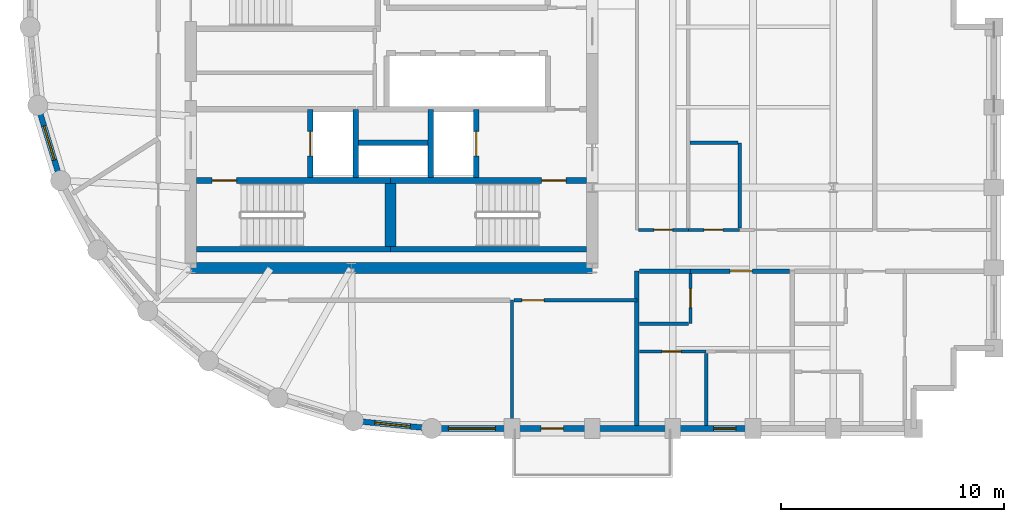
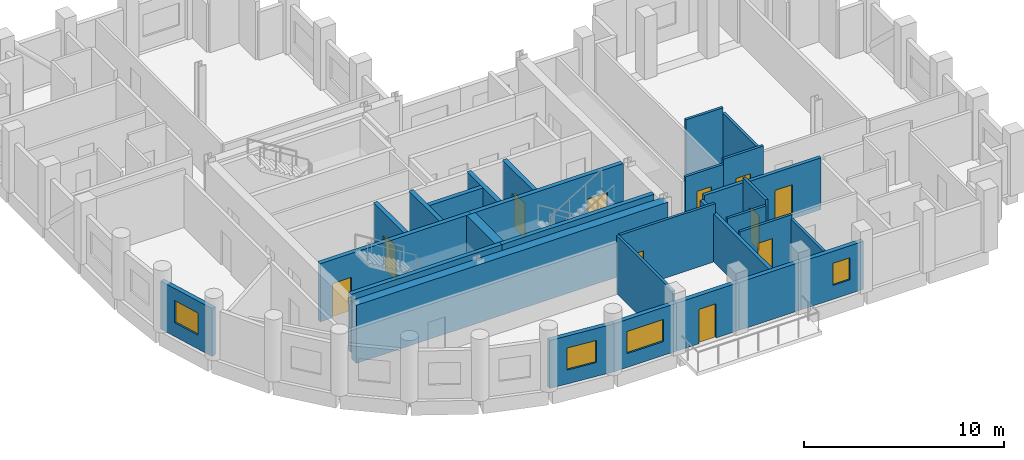
# One storey, part 3 of 8: 30 walls, 11 doors, 4 windows, 15 openings.
"""IFC4 building model written with IfcOpenShell, lengths in metres."""

import ifcopenshell
import ifcopenshell.guid

model = None  # the IFC model being written
_history = None  # IfcOwnerHistory: only IFC2X3 demands one
_inside = {}  # id of a spatial element -> (the spatial element, [elements in it])
_under = {}  # id of a project, library or spatial element -> (it, [spatial elements below it])
_declared = {}  # id of a project -> (the project, [libraries it declares])
_typed = {}  # id of a type object -> (the type object, [elements of that type])
_made_of = {}  # id of a material, layer set ... -> (it, [elements and type objects made of it])


def new_model(schema):
    """Start an empty IFC model of exactly this schema.

    Asked for "IFC4X3", IfcOpenShell would pick the latest addendum, in which some entities
    have other attributes; the version numbers below select the first issue.
    IFC2X3 requires an IfcOwnerHistory on every rooted entity: one is made here for all.
    """
    global model, _history
    if schema == "IFC4X3":
        model = ifcopenshell.file(schema_version=(4, 3, 0, 0))
    else:
        model = ifcopenshell.file(schema=schema)
    _inside.clear()
    _under.clear()
    _declared.clear()
    _typed.clear()
    _made_of.clear()
    _history = None
    if model.schema == "IFC2X3":
        org = make("IfcOrganization", Name="unknown")
        user = make(
            "IfcPersonAndOrganization",
            ThePerson=make("IfcPerson", FamilyName="unknown"),
            TheOrganization=org,
        )
        app = make(
            "IfcApplication",
            ApplicationDeveloper=org,
            Version="unknown",
            ApplicationFullName="unknown",
            ApplicationIdentifier="unknown",
        )
        _history = make(
            "IfcOwnerHistory",
            OwningUser=user,
            OwningApplication=app,
            ChangeAction="ADDED",
            CreationDate=0,
        )
    return model


def make(cls, **values):
    """One entity of the class cls with the attributes given. An attribute that is None is left unset."""
    return model.create_entity(
        cls, **{name: value for name, value in values.items() if value is not None}
    )


def rooted(cls, **values):
    """An entity with a GlobalId (a new one), such as an element, a storey or a relation."""
    return make(cls, GlobalId=ifcopenshell.guid.new(), OwnerHistory=_history, **values)


def si_unit(unit_type, name, prefix=None):
    """IfcSIUnit, for example si_unit("LENGTHUNIT", "METRE", prefix="MILLI")."""
    return make("IfcSIUnit", UnitType=unit_type, Prefix=prefix, Name=name)


def assignment(units):
    """IfcUnitAssignment: the units of a project."""
    return None if units is None else make("IfcUnitAssignment", Units=units)


def point(xyz):
    """IfcCartesianPoint."""
    return None if xyz is None else make("IfcCartesianPoint", Coordinates=xyz)


def direction(xyz):
    """IfcDirection."""
    return None if xyz is None else make("IfcDirection", DirectionRatios=xyz)


def frame(location, z_axis=None, x_axis=None):
    """IfcAxis2Placement3D, a coordinate frame: its origin and axes. An axis left out is left unset."""
    return make(
        "IfcAxis2Placement3D",
        Location=point(location),
        Axis=direction(z_axis),
        RefDirection=direction(x_axis),
    )


def frame_2d(location, x_axis=None):
    """IfcAxis2Placement2D, a coordinate frame in the plane: its origin and x axis."""
    return make(
        "IfcAxis2Placement2D", Location=point(location), RefDirection=direction(x_axis)
    )


def origin():
    """The frame at (0, 0, 0) with its axes left unset."""
    return frame((0.0, 0.0, 0.0))


def place(relative_to, where):
    """IfcLocalPlacement: puts the frame where relative to a parent placement (None: the world)."""
    return make(
        "IfcLocalPlacement", PlacementRelTo=relative_to, RelativePlacement=where
    )


def context(
    kind, dimensions, precision=None, world=None, true_north=None, identifier=None
):
    """IfcGeometricRepresentationContext, for example the 3D "Model" context."""
    return make(
        "IfcGeometricRepresentationContext",
        ContextIdentifier=identifier,
        ContextType=kind,
        CoordinateSpaceDimension=dimensions,
        Precision=precision,
        WorldCoordinateSystem=world,
        TrueNorth=true_north,
    )


def subcontext(parent, identifier, kind, view, scale=None):
    """IfcGeometricRepresentationSubContext, for example "Body" below "Model"."""
    return make(
        "IfcGeometricRepresentationSubContext",
        ContextIdentifier=identifier,
        ContextType=kind,
        ParentContext=parent,
        TargetScale=scale,
        TargetView=view,
    )


def project(units=None, contexts=None):
    """IfcProject with its units and contexts."""
    return rooted(
        "IfcProject",
        Name="project",
        RepresentationContexts=contexts,
        UnitsInContext=assignment(units),
    )


def spatial(cls, under=None, at=None, **own):
    """A site, building, storey or space (cls), placed at a placement, below another one or the project."""
    s = rooted(cls, ObjectPlacement=at, **own)
    if under is not None:
        _under.setdefault(under.id(), (under, []))[1].append(s)
    return s


def profile(cls, at=None, kind="AREA", **sizes):
    """A parametric profile (cls). Its sizes go by their IFC names, for example OverallWidth=200.0."""
    return make(cls, ProfileType=kind, Position=at, **sizes)


def rectangle(**sizes):
    """IfcRectangleProfileDef."""
    return profile("IfcRectangleProfileDef", **sizes)


def extrude(swept, where, along, depth):
    """IfcExtrudedAreaSolid: the profile swept, set in the frame where, extruded along a direction by depth."""
    return make(
        "IfcExtrudedAreaSolid",
        SweptArea=swept,
        Position=where,
        ExtrudedDirection=direction(along),
        Depth=depth,
    )


def shape(context_of_items, identifier, shape_type, items):
    """IfcShapeRepresentation: the items that make up one representation, for example the "Body"."""
    return make(
        "IfcShapeRepresentation",
        ContextOfItems=context_of_items,
        RepresentationIdentifier=identifier,
        RepresentationType=shape_type,
        Items=items,
    )


def material(Name=None, Category=None):
    """IfcMaterial."""
    return make("IfcMaterial", Name=Name, Category=Category)


def layer(
    of_material, thickness, ventilated=None, Name=None, Category=None, Priority=None
):
    """IfcMaterialLayer: one layer of a wall or slab, of a material (None: an air gap)."""
    return make(
        "IfcMaterialLayer",
        Material=of_material,
        LayerThickness=thickness,
        IsVentilated=ventilated,
        Name=Name,
        Category=Category,
        Priority=Priority,
    )


def layer_set(layers, Name=None):
    """IfcMaterialLayerSet."""
    return make("IfcMaterialLayerSet", MaterialLayers=layers, LayerSetName=Name)


def made_of(thing, what):
    """Note that an element or type object is made of a material, layer set ...; save() writes the relation."""
    if what is not None:
        _made_of.setdefault(what.id(), (what, []))[1].append(thing)
    return thing


def type_object(cls, material=None, **own):
    """A type object (cls), such as IfcWallType, which elements share."""
    return made_of(rooted(cls, **own), material)


def element(
    cls,
    number,
    at=None,
    inside=None,
    cuts=None,
    type_object=None,
    material=None,
    context=None,
    identifier="Body",
    shape_type=None,
    held_by="IfcProductDefinitionShape",
    body=None,
    shapes=None,
    **own,
):
    """One element of the class cls, such as IfcWall. Its Tag is "e" and its number.

    at: its placement. inside: the storey or other place that contains it. cuts: it is an
    opening in that element (IfcRelVoidsElement). A single representation is given by context,
    identifier, shape_type and body (its items); several are given by shapes. held_by: the class
    of the entity that holds the representations. save() writes the other relations.
    """
    e = rooted(cls, Tag="e%d" % number, ObjectPlacement=at, **own)
    if body is not None:
        shapes = [shape(context, identifier, shape_type, body)]
    if shapes is not None:
        e.Representation = make(held_by, Representations=shapes)
    if inside is not None:
        _inside.setdefault(inside.id(), (inside, []))[1].append(e)
    if cuts is not None:
        rooted(
            "IfcRelVoidsElement", RelatingBuildingElement=cuts, RelatedOpeningElement=e
        )
    if type_object is not None:
        _typed.setdefault(type_object.id(), (type_object, []))[1].append(e)
    return made_of(e, material)


def fill(opening, filler):
    """IfcRelFillsElement: the door or window that sits in an opening."""
    return rooted(
        "IfcRelFillsElement",
        RelatingOpeningElement=opening,
        RelatedBuildingElement=filler,
    )


def aggregate(whole, parts):
    """IfcRelAggregates: a whole, such as a stair, and the parts it consists of."""
    return rooted("IfcRelAggregates", RelatingObject=whole, RelatedObjects=parts)


def save(model, path):
    """Write the relations noted so far, then the file.

    IfcRelAggregates (storeys below a building ...), IfcRelContainedInSpatialStructure (elements
    in a storey), IfcRelDefinesByType, IfcRelAssociatesMaterial and IfcRelDeclares: one each for
    every whole, place, type object, material and project.
    """
    for whole, parts in _under.values():
        aggregate(whole, parts)
    for where, things in _inside.values():
        rooted(
            "IfcRelContainedInSpatialStructure",
            RelatedElements=things,
            RelatingStructure=where,
        )
    for kind, things in _typed.values():
        rooted("IfcRelDefinesByType", RelatedObjects=things, RelatingType=kind)
    for what, things in _made_of.values():
        rooted("IfcRelAssociatesMaterial", RelatedObjects=things, RelatingMaterial=what)
    for by, libraries in _declared.values():
        rooted("IfcRelDeclares", RelatingContext=by, RelatedDefinitions=libraries)
    model.write(path)


model = new_model("IFC4")

# Units and contexts
model_context = context("Model", 3, precision=1e-05, world=origin(), true_north=direction((0.0, 1.0)))
body_context = subcontext(model_context, "Body", "Model", "MODEL_VIEW")
ifc_project = project(units=[si_unit("LENGTHUNIT", "METRE"), si_unit("AREAUNIT", "SQUARE_METRE"), si_unit("VOLUMEUNIT", "CUBIC_METRE"), si_unit("PLANEANGLEUNIT", "RADIAN"), si_unit("MASSUNIT", "GRAM", prefix="KILO")], contexts=[model_context])

# Site, building, storey
site_placement = place(None, origin())
site = spatial("IfcSite", under=ifc_project, at=site_placement, CompositionType="ELEMENT")
building_placement = place(site_placement, origin())
building = spatial("IfcBuilding", under=site, at=building_placement, Name="Solnavia Interchange Tower", CompositionType="ELEMENT")
storey_placement = place(building_placement, frame((0.0, 0.0, 178.60009765625)))
storey = spatial("IfcBuildingStorey", under=building, at=storey_placement, Name="L44", CompositionType="ELEMENT", Elevation=178.60009765625)

# Walls
ifc_material_1 = material(Name="Gypsum Acoustic Twin-Stud & Mineral Wool", Category="gypsum")
ifc_layer_1 = layer(ifc_material_1, 0.199951171875)
ifc_layer_set_1 = layer_set([ifc_layer_1], Name="Gypsum Acoustic Twin-Stud & Mineral Wool")
wall_type_1 = type_object("IfcWallType", Name="Wall-ApartmentParty-200", PredefinedType="PARTITIONING", material=ifc_layer_set_1)
wall_1_placement = place(storey_placement, frame((34.39990234375, 3.72900390625, 0.0), z_axis=(0.0, 0.0, 1.0), x_axis=(0.0, 1.0, 0.0)))
element("IfcWall", 1, at=wall_1_placement, inside=storey, type_object=wall_type_1, Name="PTW-L44-15 Interior partition wall", PredefinedType="PARTITIONING", context=body_context, shape_type="SweptSolid", body=[
    extrude(rectangle(XDim=6.9208984375, YDim=0.199951171875, at=frame_2d((3.46044921875, 0.0))), origin(), (0.0, 0.0, 1.0), 2.929931640625),
])
wall_2_placement = place(storey_placement, frame((34.50390625, 10.64990234375, 0.0), z_axis=(0.0, 0.0, 1.0), x_axis=(1.0, 0.0, 0.0)))
element("IfcWall", 2, at=wall_2_placement, inside=storey, type_object=wall_type_1, Name="PTW-L44-17 Interior partition wall", PredefinedType="PARTITIONING", context=body_context, shape_type="SweptSolid", body=[
    extrude(rectangle(XDim=2.296142578125, YDim=0.199951171875, at=frame_2d((1.14794921875, 0.0))), origin(), (0.0, 0.0, 1.0), 3.219970703125),
])

# Wall, opening, door
wall_3_placement = place(storey_placement, frame((36.800048828125, 10.64990234375, 0.0), z_axis=(0.0, 0.0, 1.0), x_axis=(1.0, 0.0, 0.0)))
wall_3 = element("IfcWall", 3, at=wall_3_placement, inside=storey, type_object=wall_type_1, Name="PTW-L44-20 Interior partition wall", PredefinedType="PARTITIONING", context=body_context, shape_type="SweptSolid", body=[
    extrude(rectangle(XDim=4.446044921875, YDim=0.199951171875, at=frame_2d((2.22314453125, 0.0))), origin(), (0.0, 0.0, 1.0), 3.169921875),
])
opening_1_placement = place(wall_3_placement, frame((1.77490234375, 0.0, 0.0)))
opening_1 = element("IfcOpeningElement", 4, at=opening_1_placement, cuts=wall_3, Name="Opening DR-06", PredefinedType="OPENING", context=body_context, shape_type="SweptSolid", body=[
    extrude(rectangle(XDim=1.0, YDim=2.10009765625, at=frame_2d((0.5, 1.050048828125))), frame((0.0, 0.10986328125, 0.0), z_axis=(0.0, -1.0, 0.0), x_axis=(1.0, 0.0, 0.0)), (0.0, 0.0, 1.0), 0.219970703125),
])
ifc_material_2 = material(Name="Engineered Timber Acoustic Fire Door", Category="wood")
door_type_1 = type_object("IfcDoorType", Name="Door-FlatEntry-1000x2100", OperationType="SINGLE_SWING_LEFT", PredefinedType="DOOR", material=ifc_material_2)
door_1_placement = place(opening_1_placement, origin())
door_1 = element("IfcDoor", 5, at=door_1_placement, inside=storey, type_object=door_type_1, Name="DR-L44-08 Interior room door", OperationType="SINGLE_SWING_LEFT", OverallHeight=2.10009765625, OverallWidth=1.0, PredefinedType="DOOR", context=body_context, shape_type="SweptSolid", body=[
    extrude(rectangle(XDim=1.0, YDim=2.10009765625, at=frame_2d((0.5, 1.050048828125))), frame((0.0, 0.02490234375, 0.0), z_axis=(0.0, -1.0, 0.0), x_axis=(1.0, 0.0, 0.0)), (0.0, 0.0, 1.0), 0.050048828125),
])
fill(opening_1, door_1)

# Wall, opening, window
ifc_material_3 = material(Name="Concrete C40/50", Category="concrete")
ifc_layer_2 = layer(ifc_material_3, 0.25)
ifc_layer_set_2 = layer_set([ifc_layer_2], Name="Concrete C40/50")
wall_type_2 = type_object("IfcWallType", Name="Wall-ExtSpandrel-250", PredefinedType="STANDARD", material=ifc_layer_set_2)
wall_4_placement = place(storey_placement, frame((28.800048828125, 3.60009765625, 0.0), z_axis=(0.0, 0.0, 1.0), x_axis=(-1.0, 0.0, 0.0)))
wall_4 = element("IfcWall", 6, at=wall_4_placement, inside=storey, type_object=wall_type_2, Name="EXW-L44-01 Exterior precast spandrel wall", PredefinedType="STANDARD", context=body_context, shape_type="SweptSolid", body=[
    extrude(rectangle(XDim=3.60009765625, YDim=0.25, at=frame_2d((1.800048828125, 0.0))), origin(), (0.0, 0.0, 1.0), 2.929931640625),
])
opening_2_placement = place(wall_4_placement, frame((0.75, 0.0, 0.85009765625)))
opening_2 = element("IfcOpeningElement", 7, at=opening_2_placement, cuts=wall_4, Name="Opening WIN-01", PredefinedType="OPENING", context=body_context, shape_type="SweptSolid", body=[
    extrude(rectangle(XDim=2.10009765625, YDim=1.35009765625, at=frame_2d((1.050048828125, 0.675048828125))), frame((0.0, 0.135009765625, 0.0), z_axis=(0.0, -1.0, 0.0), x_axis=(1.0, 0.0, 0.0)), (0.0, 0.0, 1.0), 0.27001953125),
])
ifc_material_4 = material(Name="Thermal-Break Aluminium & Low-E Glass", Category="aluminium")
window_type_1 = type_object("IfcWindowType", Name="Window-Ribbon-2100x1350", PartitioningType="SINGLE_PANEL", PredefinedType="WINDOW", material=ifc_material_4)
window_1_placement = place(opening_2_placement, origin())
window_1 = element("IfcWindow", 8, at=window_1_placement, inside=storey, type_object=window_type_1, Name="WIN-L44-01 Facade ribbon window", OverallHeight=1.35009765625, OverallWidth=2.10009765625, PartitioningType="SINGLE_PANEL", PredefinedType="WINDOW", context=body_context, shape_type="SweptSolid", body=[
    extrude(rectangle(XDim=2.10009765625, YDim=1.35009765625, at=frame_2d((1.050048828125, 0.675048828125))), frame((0.0, 0.030029296875, 0.0), z_axis=(0.0, -1.0, 0.0), x_axis=(1.0, 0.0, 0.0)), (0.0, 0.0, 1.0), 0.06005859375),
])
fill(opening_2, window_1)

# Wall, opening, door
wall_5_placement = place(storey_placement, frame((32.39990234375, 3.60009765625, 0.0), z_axis=(0.0, 0.0, 1.0), x_axis=(-1.0, 0.0, 0.0)))
wall_5 = element("IfcWall", 9, at=wall_5_placement, inside=storey, type_object=wall_type_2, Name="EXW-L44-02 Exterior precast spandrel wall", PredefinedType="STANDARD", context=body_context, shape_type="SweptSolid", body=[
    extrude(rectangle(XDim=3.599853515625, YDim=0.25, at=frame_2d((1.7998046875, 0.0))), origin(), (0.0, 0.0, 1.0), 2.929931640625),
])
opening_3_placement = place(wall_5_placement, frame((1.300048828125, 0.0, 0.0)))
opening_3 = element("IfcOpeningElement", 10, at=opening_3_placement, cuts=wall_5, Name="Opening EXD-05", PredefinedType="OPENING", context=body_context, shape_type="SweptSolid", body=[
    extrude(rectangle(XDim=1.0, YDim=2.10009765625, at=frame_2d((0.5, 1.050048828125))), frame((0.0, 0.135009765625, 0.0), z_axis=(0.0, -1.0, 0.0), x_axis=(1.0, 0.0, 0.0)), (0.0, 0.0, 1.0), 0.27001953125),
])
ifc_material_5 = material(Name="Thermally Broken Aluminium & Laminated Glass", Category="aluminium")
door_type_2 = type_object("IfcDoorType", Name="Door-TerraceSingle-1000x2100", OperationType="SINGLE_SWING_LEFT", PredefinedType="DOOR", material=ifc_material_5)
door_2_placement = place(opening_3_placement, origin())
door_2 = element("IfcDoor", 11, at=door_2_placement, inside=storey, type_object=door_type_2, Name="EXD-L44-TER Spiral terrace glazed door", OperationType="SINGLE_SWING_LEFT", OverallHeight=2.10009765625, OverallWidth=1.0, PredefinedType="DOOR", context=body_context, shape_type="SweptSolid", body=[
    extrude(rectangle(XDim=1.0, YDim=2.10009765625, at=frame_2d((0.5, 1.050048828125))), frame((0.0, 0.02490234375, 0.0), z_axis=(0.0, -1.0, 0.0), x_axis=(1.0, 0.0, 0.0)), (0.0, 0.0, 1.0), 0.050048828125),
])
fill(opening_3, door_2)

# Wall
wall_6_placement = place(storey_placement, frame((36.0, 3.60009765625, 0.0), z_axis=(0.0, 0.0, 1.0), x_axis=(-1.0, 0.0, 0.0)))
element("IfcWall", 12, at=wall_6_placement, inside=storey, type_object=wall_type_2, Name="EXW-L44-03 Exterior precast spandrel wall", PredefinedType="STANDARD", context=body_context, shape_type="SweptSolid", body=[
    extrude(rectangle(XDim=3.60009765625, YDim=0.25, at=frame_2d((1.800048828125, 0.0))), origin(), (0.0, 0.0, 1.0), 2.929931640625),
])

# Wall, opening, window
wall_7_placement = place(storey_placement, frame((39.60009765625, 3.60009765625, 0.0), z_axis=(0.0, 0.0, 1.0), x_axis=(-1.0, 0.0, 0.0)))
wall_7 = element("IfcWall", 13, at=wall_7_placement, inside=storey, type_object=wall_type_2, Name="EXW-L44-04 Exterior precast spandrel wall", PredefinedType="STANDARD", context=body_context, shape_type="SweptSolid", body=[
    extrude(rectangle(XDim=3.60009765625, YDim=0.25, at=frame_2d((1.800048828125, 0.0))), origin(), (0.0, 0.0, 1.0), 2.929931640625),
])
opening_4_placement = place(wall_7_placement, frame((0.76904296875, 0.0, 0.85009765625)))
opening_4 = element("IfcOpeningElement", 14, at=opening_4_placement, cuts=wall_7, Name="Opening WIN-07", PredefinedType="OPENING", context=body_context, shape_type="SweptSolid", body=[
    extrude(rectangle(XDim=1.0, YDim=1.35009765625, at=frame_2d((0.5, 0.675048828125))), frame((0.0, 0.135009765625, 0.0), z_axis=(0.0, -1.0, 0.0), x_axis=(1.0, 0.0, 0.0)), (0.0, 0.0, 1.0), 0.27001953125),
])
window_type_2 = type_object("IfcWindowType", Name="Window-Bedroom-1000x1350", PartitioningType="SINGLE_PANEL", PredefinedType="WINDOW", material=ifc_material_4)
window_2_placement = place(opening_4_placement, origin())
window_2 = element("IfcWindow", 15, at=window_2_placement, inside=storey, type_object=window_type_2, Name="WIN-L44-DW01 Dwelling bedroom window", OverallHeight=1.35009765625, OverallWidth=1.0, PartitioningType="SINGLE_PANEL", PredefinedType="WINDOW", context=body_context, shape_type="SweptSolid", body=[
    extrude(rectangle(XDim=1.0, YDim=1.35009765625, at=frame_2d((0.5, 0.675048828125))), frame((0.0, 0.030029296875, 0.0), z_axis=(0.0, -1.0, 0.0), x_axis=(1.0, 0.0, 0.0)), (0.0, 0.0, 1.0), 0.06005859375),
])
fill(opening_4, window_2)

wall_8_placement = place(storey_placement, frame((8.570068359375, 14.7119140625, 0.0), z_axis=(0.0, 0.0, 1.0), x_axis=(-0.290305086481, 0.956934144423, 0.0)))
wall_8 = element("IfcWall", 16, at=wall_8_placement, inside=storey, type_object=wall_type_2, Name="EXW-L44-48 Exterior precast spandrel wall", PredefinedType="STANDARD", context=body_context, shape_type="SweptSolid", body=[
    extrude(rectangle(XDim=3.52783203125, YDim=0.25, at=frame_2d((1.763916015625, 0.0))), origin(), (0.0, 0.0, 1.0), 2.929931640625),
])
opening_5_placement = place(wall_8_placement, frame((0.964111328125, 0.0, 0.85009765625)))
opening_5 = element("IfcOpeningElement", 17, at=opening_5_placement, cuts=wall_8, Name="Opening WIN-04", PredefinedType="OPENING", context=body_context, shape_type="SweptSolid", body=[
    extrude(rectangle(XDim=1.60009765625, YDim=1.35009765625, at=frame_2d((0.800048828125, 0.675048828125))), frame((0.0, 0.135009765625, 0.0), z_axis=(0.0, -1.0, 0.0), x_axis=(1.0, 0.0, 0.0)), (0.0, 0.0, 1.0), 0.27001953125),
])
window_type_3 = type_object("IfcWindowType", Name="Window-Drum-1600x1350", PartitioningType="SINGLE_PANEL", PredefinedType="WINDOW", material=ifc_material_4)
window_3_placement = place(opening_5_placement, origin())
window_3 = element("IfcWindow", 18, at=window_3_placement, inside=storey, type_object=window_type_3, Name="WIN-L44-48 Facade ribbon window", OverallHeight=1.35009765625, OverallWidth=1.60009765625, PartitioningType="SINGLE_PANEL", PredefinedType="WINDOW", context=body_context, shape_type="SweptSolid", body=[
    extrude(rectangle(XDim=1.60009765625, YDim=1.35009765625, at=frame_2d((0.800048828125, 0.675048828125))), frame((0.0, 0.030029296875, 0.0), z_axis=(0.0, -1.0, 0.0), x_axis=(1.0, 0.0, 0.0)), (0.0, 0.0, 1.0), 0.06005859375),
])
fill(opening_5, window_3)

wall_9_placement = place(storey_placement, frame((25.199951171875, 3.60009765625, 0.0), z_axis=(0.0, 0.0, 1.0), x_axis=(-0.995183369056, 0.098030923459, 0.0)))
wall_9 = element("IfcWall", 19, at=wall_9_placement, inside=storey, type_object=wall_type_2, Name="EXW-L44-54 Exterior precast spandrel wall", PredefinedType="STANDARD", context=body_context, shape_type="SweptSolid", body=[
    extrude(rectangle(XDim=3.529052734375, YDim=0.25, at=frame_2d((1.7646484375, 0.0))), origin(), (0.0, 0.0, 1.0), 2.929931640625),
])
opening_6_placement = place(wall_9_placement, frame((0.965087890625, 0.0, 0.85009765625)))
opening_6 = element("IfcOpeningElement", 20, at=opening_6_placement, cuts=wall_9, Name="Opening WIN-04", PredefinedType="OPENING", context=body_context, shape_type="SweptSolid", body=[
    extrude(rectangle(XDim=1.60009765625, YDim=1.35009765625, at=frame_2d((0.800048828125, 0.675048828125))), frame((0.0, 0.135009765625, 0.0), z_axis=(0.0, -1.0, 0.0), x_axis=(1.0, 0.0, 0.0)), (0.0, 0.0, 1.0), 0.27001953125),
])
window_4_placement = place(opening_6_placement, origin())
window_4 = element("IfcWindow", 21, at=window_4_placement, inside=storey, type_object=window_type_3, Name="WIN-L44-54 Facade ribbon window", OverallHeight=1.35009765625, OverallWidth=1.60009765625, PartitioningType="SINGLE_PANEL", PredefinedType="WINDOW", context=body_context, shape_type="SweptSolid", body=[
    extrude(rectangle(XDim=1.60009765625, YDim=1.35009765625, at=frame_2d((0.800048828125, 0.675048828125))), frame((0.0, 0.030029296875, 0.0), z_axis=(0.0, -1.0, 0.0), x_axis=(1.0, 0.0, 0.0)), (0.0, 0.0, 1.0), 0.06005859375),
])
fill(opening_6, window_4)

# Wall
ifc_material_6 = material(Name="Gypsum Plasterboard & Steel Stud", Category="steel")
ifc_layer_3 = layer(ifc_material_6, 0.14990234375)
ifc_layer_set_3 = layer_set([ifc_layer_3], Name="Gypsum Plasterboard & Steel Stud")
wall_type_3 = type_object("IfcWallType", Name="Wall-Partition-150", PredefinedType="PARTITIONING", material=ifc_layer_set_3)
wall_10_placement = place(storey_placement, frame((28.800048828125, 9.35009765625, 0.0), z_axis=(0.0, 0.0, 1.0), x_axis=(0.0, -1.0, 0.0)))
element("IfcWall", 22, at=wall_10_placement, inside=storey, type_object=wall_type_3, Name="PTW-L44-08 Interior partition wall", PredefinedType="PARTITIONING", context=body_context, shape_type="SweptSolid", body=[
    extrude(rectangle(XDim=5.62109375, YDim=0.14990234375, at=frame_2d((2.810546875, 0.0))), origin(), (0.0, 0.0, 1.0), 3.534912109375),
])

# Wall, opening, door
wall_11_placement = place(storey_placement, frame((28.87890625, 9.35009765625, 0.0), z_axis=(0.0, 0.0, 1.0), x_axis=(1.0, 0.0, 0.0)))
wall_11 = element("IfcWall", 23, at=wall_11_placement, inside=storey, type_object=wall_type_3, Name="PTW-L44-14 Interior partition wall", PredefinedType="PARTITIONING", context=body_context, shape_type="SweptSolid", body=[
    extrude(rectangle(XDim=5.52099609375, YDim=0.14990234375, at=frame_2d((2.760498046875, 0.0))), origin(), (0.0, 0.0, 1.0), 3.534912109375),
])
opening_7_placement = place(wall_11_placement, frame((0.360107421875, 0.0, 0.0)))
opening_7 = element("IfcOpeningElement", 24, at=opening_7_placement, cuts=wall_11, Name="Opening DR-07", PredefinedType="OPENING", context=body_context, shape_type="SweptSolid", body=[
    extrude(rectangle(XDim=1.0, YDim=2.10009765625, at=frame_2d((0.5, 1.050048828125))), frame((0.0, 0.0849609375, 0.0), z_axis=(0.0, -1.0, 0.0), x_axis=(1.0, 0.0, 0.0)), (0.0, 0.0, 1.0), 0.169921875),
])
ifc_material_7 = material(Name="Timber & Acoustic Glazed Office Door", Category="wood")
door_type_3 = type_object("IfcDoorType", Name="Door-Office-1000x2100", OperationType="SINGLE_SWING_RIGHT", PredefinedType="DOOR", material=ifc_material_7)
door_3_placement = place(opening_7_placement, origin())
door_3 = element("IfcDoor", 25, at=door_3_placement, inside=storey, type_object=door_type_3, Name="DR-L44-06 Interior room door", OperationType="SINGLE_SWING_LEFT", OverallHeight=2.10009765625, OverallWidth=1.0, PredefinedType="DOOR", context=body_context, shape_type="SweptSolid", body=[
    extrude(rectangle(XDim=1.0, YDim=2.10009765625, at=frame_2d((0.5, 1.050048828125))), frame((0.0, 0.02490234375, 0.0), z_axis=(0.0, -1.0, 0.0), x_axis=(1.0, 0.0, 0.0)), (0.0, 0.0, 1.0), 0.050048828125),
])
fill(opening_7, door_3)

# Wall
ifc_layer_4 = layer(ifc_material_3, 0.25)
ifc_layer_set_4 = layer_set([ifc_layer_4], Name="Concrete C40/50")
wall_type_4 = type_object("IfcWallType", Name="Wall-ShaftCore-250", PredefinedType="SHEAR", material=ifc_layer_set_4)
wall_12_placement = place(storey_placement, frame((14.64990234375, 11.625, 0.0), z_axis=(0.0, 0.0, 1.0), x_axis=(1.0, 0.0, 0.0)))
element("IfcWall", 26, at=wall_12_placement, inside=storey, type_object=wall_type_4, Name="SHW-L44-ST1S Core shear wall", PredefinedType="SHEAR", context=body_context, shape_type="SweptSolid", body=[
    extrude(rectangle(XDim=8.7001953125, YDim=0.25, at=frame_2d((4.35009765625, 0.0))), origin(), (0.0, 0.0, 1.0), 3.5498046875),
])

# Wall, opening, door
wall_13_placement = place(storey_placement, frame((14.64990234375, 14.715087890625, 0.0), z_axis=(0.0, 0.0, 1.0), x_axis=(1.0, 0.0, 0.0)))
wall_13 = element("IfcWall", 27, at=wall_13_placement, inside=storey, type_object=wall_type_4, Name="SHW-L44-ST1N Core shear wall", PredefinedType="SHEAR", context=body_context, shape_type="SweptSolid", body=[
    extrude(rectangle(XDim=8.7001953125, YDim=0.25, at=frame_2d((4.35009765625, 0.0))), origin(), (0.0, 0.0, 1.0), 3.5498046875),
])
opening_8_placement = place(wall_13_placement, frame((0.705078125, 0.0, 0.0)))
opening_8 = element("IfcOpeningElement", 28, at=opening_8_placement, cuts=wall_13, Name="Opening DR-01", PredefinedType="OPENING", context=body_context, shape_type="SweptSolid", body=[
    extrude(rectangle(XDim=1.10009765625, YDim=2.10009765625, at=frame_2d((0.550048828125, 1.050048828125))), frame((0.0, 0.135009765625, 0.0), z_axis=(0.0, -1.0, 0.0), x_axis=(1.0, 0.0, 0.0)), (0.0, 0.0, 1.0), 0.27001953125),
])
ifc_material_8 = material(Name="Steel Fire-Rated Leaf & Frame", Category="steel")
door_type_4 = type_object("IfcDoorType", Name="Door-StairFire-1100x2100", OperationType="SINGLE_SWING_LEFT", PredefinedType="DOOR", material=ifc_material_8)
door_4_placement = place(opening_8_placement, origin())
door_4 = element("IfcDoor", 29, at=door_4_placement, inside=storey, type_object=door_type_4, Name="DR-L44-ST1 Core fire door", OperationType="SINGLE_SWING_LEFT", OverallHeight=2.10009765625, OverallWidth=1.10009765625, PredefinedType="DOOR", context=body_context, shape_type="SweptSolid", body=[
    extrude(rectangle(XDim=1.10009765625, YDim=2.10009765625, at=frame_2d((0.550048828125, 1.050048828125))), frame((0.0, 0.02490234375, 0.0), z_axis=(0.0, -1.0, 0.0), x_axis=(1.0, 0.0, 0.0)), (0.0, 0.0, 1.0), 0.050048828125),
])
fill(opening_8, door_4)

# Wall
wall_14_placement = place(storey_placement, frame((23.35009765625, 11.625, 0.0), z_axis=(0.0, 0.0, 1.0), x_axis=(1.0, 0.0, 0.0)))
element("IfcWall", 30, at=wall_14_placement, inside=storey, type_object=wall_type_4, Name="SHW-L44-ST2S Core shear wall", PredefinedType="SHEAR", context=body_context, shape_type="SweptSolid", body=[
    extrude(rectangle(XDim=8.7998046875, YDim=0.25, at=frame_2d((4.39990234375, 0.0))), origin(), (0.0, 0.0, 1.0), 3.5498046875),
])

# Wall, opening, door
wall_15_placement = place(storey_placement, frame((23.35009765625, 14.715087890625, 0.0), z_axis=(0.0, 0.0, 1.0), x_axis=(1.0, 0.0, 0.0)))
wall_15 = element("IfcWall", 31, at=wall_15_placement, inside=storey, type_object=wall_type_4, Name="SHW-L44-ST2N Core shear wall", PredefinedType="SHEAR", context=body_context, shape_type="SweptSolid", body=[
    extrude(rectangle(XDim=8.7998046875, YDim=0.25, at=frame_2d((4.39990234375, 0.0))), origin(), (0.0, 0.0, 1.0), 3.5498046875),
])
opening_9_placement = place(wall_15_placement, frame((6.77490234375, 0.0, 0.0)))
opening_9 = element("IfcOpeningElement", 32, at=opening_9_placement, cuts=wall_15, Name="Opening DR-01", PredefinedType="OPENING", context=body_context, shape_type="SweptSolid", body=[
    extrude(rectangle(XDim=1.10009765625, YDim=2.10009765625, at=frame_2d((0.550048828125, 1.050048828125))), frame((0.0, 0.135009765625, 0.0), z_axis=(0.0, -1.0, 0.0), x_axis=(1.0, 0.0, 0.0)), (0.0, 0.0, 1.0), 0.27001953125),
])
door_5_placement = place(opening_9_placement, origin())
door_5 = element("IfcDoor", 33, at=door_5_placement, inside=storey, type_object=door_type_4, Name="DR-L44-ST2 Core fire door", OperationType="SINGLE_SWING_LEFT", OverallHeight=2.10009765625, OverallWidth=1.10009765625, PredefinedType="DOOR", context=body_context, shape_type="SweptSolid", body=[
    extrude(rectangle(XDim=1.10009765625, YDim=2.10009765625, at=frame_2d((0.550048828125, 1.050048828125))), frame((0.0, 0.02490234375, 0.0), z_axis=(0.0, -1.0, 0.0), x_axis=(1.0, 0.0, 0.0)), (0.0, 0.0, 1.0), 0.050048828125),
])
fill(opening_9, door_5)

ifc_layer_5 = layer(ifc_material_3, 0.25)
ifc_layer_set_5 = layer_set([ifc_layer_5], Name="Concrete C40/50")
wall_type_5 = type_object("IfcWallType", Name="Wall-ShaftPart-250", PredefinedType="PARTITIONING", material=ifc_layer_set_5)
wall_16_placement = place(storey_placement, frame((19.75, 14.840087890625, 0.0), z_axis=(0.0, 0.0, 1.0), x_axis=(0.0, 1.0, 0.0)))
wall_16 = element("IfcWall", 34, at=wall_16_placement, inside=storey, type_object=wall_type_5, Name="SHW-L44-FFL1-W Core shaft wall", PredefinedType="PARTITIONING", context=body_context, shape_type="SweptSolid", body=[
    extrude(rectangle(XDim=3.059814453125, YDim=0.25, at=frame_2d((1.52978515625, 0.0))), origin(), (0.0, 0.0, 1.0), 3.534912109375),
])
opening_10_placement = place(wall_16_placement, frame((0.97998046875, 0.0, 0.0)))
opening_10 = element("IfcOpeningElement", 35, at=opening_10_placement, cuts=wall_16, Name="Opening LD-01", PredefinedType="OPENING", context=body_context, shape_type="SweptSolid", body=[
    extrude(rectangle(XDim=1.10009765625, YDim=2.10009765625, at=frame_2d((0.550048828125, 1.050048828125))), frame((0.0, 0.135009765625, 0.0), z_axis=(0.0, -1.0, 0.0), x_axis=(1.0, 0.0, 0.0)), (0.0, 0.0, 1.0), 0.27001953125),
])
ifc_material_9 = material(Name="Brushed Stainless Steel Sliding Door", Category="steel")
door_type_5 = type_object("IfcDoorType", Name="Door-LiftLanding-1100x2100", OperationType="SLIDING_TO_LEFT", PredefinedType="DOOR", material=ifc_material_9)
door_6_placement = place(opening_10_placement, origin())
door_6 = element("IfcDoor", 36, at=door_6_placement, inside=storey, type_object=door_type_5, Name="LD-L44-FFL1 Lift landing sliding door", OperationType="SLIDING_TO_LEFT", OverallHeight=2.10009765625, OverallWidth=1.10009765625, PredefinedType="DOOR", context=body_context, shape_type="SweptSolid", body=[
    extrude(rectangle(XDim=1.10009765625, YDim=2.10009765625, at=frame_2d((0.550048828125, 1.050048828125))), frame((0.0, 0.02490234375, 0.0), z_axis=(0.0, -1.0, 0.0), x_axis=(1.0, 0.0, 0.0)), (0.0, 0.0, 1.0), 0.050048828125),
])
fill(opening_10, door_6)

# Walls
for number, where, z_axis, x_axis, name in (
    (37, (21.800048828125, 14.840087890625, 0.0), (0.0, 0.0, 1.0), (0.0, 1.0, 0.0), "SHW-L44-FFL1-E Core shaft wall"),
    (38, (25.14990234375, 14.840087890625, 0.0), (0.0, 0.0, 1.0), (0.0, 1.0, 0.0), "SHW-L44-FFL2-W Core shaft wall"),
):
    element("IfcWall", number, at=place(storey_placement, frame(where, z_axis=z_axis, x_axis=x_axis)), inside=storey, type_object=wall_type_5, Name=name, PredefinedType="PARTITIONING", context=body_context, shape_type="SweptSolid", body=[
        extrude(rectangle(XDim=3.059814453125, YDim=0.25, at=frame_2d((1.52978515625, 0.0))), origin(), (0.0, 0.0, 1.0), 3.534912109375),
    ])

# Wall, opening, door
wall_17_placement = place(storey_placement, frame((27.199951171875, 14.840087890625, 0.0), z_axis=(0.0, 0.0, 1.0), x_axis=(0.0, 1.0, 0.0)))
wall_17 = element("IfcWall", 39, at=wall_17_placement, inside=storey, type_object=wall_type_5, Name="SHW-L44-FFL2-E Core shaft wall", PredefinedType="PARTITIONING", context=body_context, shape_type="SweptSolid", body=[
    extrude(rectangle(XDim=3.059814453125, YDim=0.25, at=frame_2d((1.52978515625, 0.0))), origin(), (0.0, 0.0, 1.0), 3.534912109375),
])
opening_11_placement = place(wall_17_placement, frame((0.97998046875, 0.0, 0.0)))
opening_11 = element("IfcOpeningElement", 40, at=opening_11_placement, cuts=wall_17, Name="Opening LD-01", PredefinedType="OPENING", context=body_context, shape_type="SweptSolid", body=[
    extrude(rectangle(XDim=1.10009765625, YDim=2.10009765625, at=frame_2d((0.550048828125, 1.050048828125))), frame((0.0, 0.135009765625, 0.0), z_axis=(0.0, -1.0, 0.0), x_axis=(1.0, 0.0, 0.0)), (0.0, 0.0, 1.0), 0.27001953125),
])
door_7_placement = place(opening_11_placement, origin())
door_7 = element("IfcDoor", 41, at=door_7_placement, inside=storey, type_object=door_type_5, Name="LD-L44-FFL2 Lift landing sliding door", OperationType="SLIDING_TO_LEFT", OverallHeight=2.10009765625, OverallWidth=1.10009765625, PredefinedType="DOOR", context=body_context, shape_type="SweptSolid", body=[
    extrude(rectangle(XDim=1.10009765625, YDim=2.10009765625, at=frame_2d((0.550048828125, 1.050048828125))), frame((0.0, 0.02490234375, 0.0), z_axis=(0.0, -1.0, 0.0), x_axis=(1.0, 0.0, 0.0)), (0.0, 0.0, 1.0), 0.050048828125),
])
fill(opening_11, door_7)

# Walls
wall_18_placement = place(storey_placement, frame((21.800048828125, 16.39990234375, 0.0), z_axis=(0.0, 0.0, 1.0), x_axis=(1.0, 0.0, 0.0)))
element("IfcWall", 42, at=wall_18_placement, inside=storey, type_object=wall_type_5, Name="SHW-L44-MEP-N Core shaft wall", PredefinedType="PARTITIONING", context=body_context, shape_type="SweptSolid", body=[
    extrude(rectangle(XDim=3.349853515625, YDim=0.25, at=frame_2d((1.6748046875, 0.0))), origin(), (0.0, 0.0, 1.0), 3.534912109375),
])
ifc_material_10 = material(Name="Concrete C60/75", Category="concrete")
ifc_layer_6 = layer(ifc_material_10, 0.5)
ifc_layer_set_6 = layer_set([ifc_layer_6], Name="Concrete C60/75")
wall_type_6 = type_object("IfcWallType", Name="Wall-ShearCore-500", PredefinedType="SHEAR", material=ifc_layer_set_6)
wall_19_placement = place(storey_placement, frame((14.39990234375, 10.800048828125, 0.0), z_axis=(0.0, 0.0, 1.0), x_axis=(1.0, 0.0, 0.0)))
element("IfcWall", 43, at=wall_19_placement, inside=storey, type_object=wall_type_6, Name="CRW-L44-S Core shear wall", PredefinedType="SHEAR", context=body_context, shape_type="SweptSolid", body=[
    extrude(rectangle(XDim=18.0, YDim=0.5, at=frame_2d((9.0, 0.0))), origin(), (0.0, 0.0, 1.0), 3.5498046875),
])
wall_20_placement = place(storey_placement, frame((23.35009765625, 11.75, 0.0), z_axis=(0.0, 0.0, 1.0), x_axis=(0.0, 1.0, 0.0)))
element("IfcWall", 44, at=wall_20_placement, inside=storey, type_object=wall_type_6, Name="SHW-L44-ST12M Core shear wall", PredefinedType="SHEAR", context=body_context, shape_type="SweptSolid", body=[
    extrude(rectangle(XDim=2.840087890625, YDim=0.5, at=frame_2d((1.419921875, 0.0))), origin(), (0.0, 0.0, 1.0), 3.5498046875),
])

# Wall, opening, door
ifc_material_11 = material(Name="Moisture-Resistant Gypsum & Steel Stud", Category="steel")
ifc_layer_7 = layer(ifc_material_11, 0.14990234375)
ifc_layer_set_7 = layer_set([ifc_layer_7], Name="Moisture-Resistant Gypsum & Steel Stud")
wall_type_7 = type_object("IfcWallType", Name="Wall-WetRoom-150", PredefinedType="PARTITIONING", material=ifc_layer_set_7)
wall_21_placement = place(storey_placement, frame((34.47900390625, 12.5, 0.0), z_axis=(0.0, 0.0, 1.0), x_axis=(1.0, 0.0, 0.0)))
wall_21 = element("IfcWall", 45, at=wall_21_placement, inside=storey, type_object=wall_type_7, Name="PTW-L44-02 Interior partition wall", PredefinedType="PARTITIONING", context=body_context, shape_type="SweptSolid", body=[
    extrude(rectangle(XDim=2.220947265625, YDim=0.14990234375, at=frame_2d((1.1103515625, 0.0))), origin(), (0.0, 0.0, 1.0), 3.219970703125),
])
opening_12_placement = place(wall_21_placement, frame((0.674072265625, 0.0, 0.0)))
opening_12 = element("IfcOpeningElement", 46, at=opening_12_placement, cuts=wall_21, Name="Opening DR-10", PredefinedType="OPENING", context=body_context, shape_type="SweptSolid", body=[
    extrude(rectangle(XDim=0.85009765625, YDim=2.10009765625, at=frame_2d((0.425048828125, 1.050048828125))), frame((0.0, 0.0849609375, 0.0), z_axis=(0.0, -1.0, 0.0), x_axis=(1.0, 0.0, 0.0)), (0.0, 0.0, 1.0), 0.169921875),
])
ifc_material_12 = material(Name="Moisture-Resistant Timber Door", Category="wood")
door_type_6 = type_object("IfcDoorType", Name="Door-Bathroom-850x2100", OperationType="SINGLE_SWING_RIGHT", PredefinedType="DOOR", material=ifc_material_12)
door_8_placement = place(opening_12_placement, origin())
door_8 = element("IfcDoor", 47, at=door_8_placement, inside=storey, type_object=door_type_6, Name="DR-L44-01 Interior room door", OperationType="SINGLE_SWING_LEFT", OverallHeight=2.10009765625, OverallWidth=0.85009765625, PredefinedType="DOOR", context=body_context, shape_type="SweptSolid", body=[
    extrude(rectangle(XDim=0.85009765625, YDim=2.10009765625, at=frame_2d((0.425048828125, 1.050048828125))), frame((0.0, 0.02490234375, 0.0), z_axis=(0.0, -1.0, 0.0), x_axis=(1.0, 0.0, 0.0)), (0.0, 0.0, 1.0), 0.050048828125),
])
fill(opening_12, door_8)

wall_22_placement = place(storey_placement, frame((36.699951171875, 12.5, 0.0), z_axis=(0.0, 0.0, 1.0), x_axis=(1.0, 0.0, 0.0)))
wall_22 = element("IfcWall", 48, at=wall_22_placement, inside=storey, type_object=wall_type_7, Name="PTW-L44-04 Interior partition wall", PredefinedType="PARTITIONING", context=body_context, shape_type="SweptSolid", body=[
    extrude(rectangle(XDim=2.300048828125, YDim=0.14990234375, at=frame_2d((1.14990234375, 0.0))), origin(), (0.0, 0.0, 1.0), 3.534912109375),
])
opening_13_placement = place(wall_22_placement, frame((0.697021484375, 0.0, 0.0)))
opening_13 = element("IfcOpeningElement", 49, at=opening_13_placement, cuts=wall_22, Name="Opening DR-10", PredefinedType="OPENING", context=body_context, shape_type="SweptSolid", body=[
    extrude(rectangle(XDim=0.85009765625, YDim=2.10009765625, at=frame_2d((0.425048828125, 1.050048828125))), frame((0.0, 0.0849609375, 0.0), z_axis=(0.0, -1.0, 0.0), x_axis=(1.0, 0.0, 0.0)), (0.0, 0.0, 1.0), 0.169921875),
])
door_9_placement = place(opening_13_placement, origin())
door_9 = element("IfcDoor", 50, at=door_9_placement, inside=storey, type_object=door_type_6, Name="DR-L44-02 Interior room door", OperationType="SINGLE_SWING_RIGHT", OverallHeight=2.10009765625, OverallWidth=0.85009765625, PredefinedType="DOOR", context=body_context, shape_type="SweptSolid", body=[
    extrude(rectangle(XDim=0.85009765625, YDim=2.10009765625, at=frame_2d((0.425048828125, 1.050048828125))), frame((0.0, 0.02490234375, 0.0), z_axis=(0.0, -1.0, 0.0), x_axis=(1.0, 0.0, 0.0)), (0.0, 0.0, 1.0), 0.050048828125),
])
fill(opening_13, door_9)

# Walls
wall_23_placement = place(storey_placement, frame((39.0, 12.5791015625, 0.0), z_axis=(0.0, 0.0, 1.0), x_axis=(0.0, 1.0, 0.0)))
element("IfcWall", 51, at=wall_23_placement, inside=storey, type_object=wall_type_7, Name="PTW-L44-05 Interior partition wall", PredefinedType="PARTITIONING", context=body_context, shape_type="SweptSolid", body=[
    extrude(rectangle(XDim=3.82080078125, YDim=0.14990234375, at=frame_2d((1.910400390625, 0.0))), origin(), (0.0, 0.0, 1.0), 3.169921875),
])
wall_24_placement = place(storey_placement, frame((36.779052734375, 16.39990234375, 0.0), z_axis=(0.0, 0.0, 1.0), x_axis=(1.0, 0.0, 0.0)))
element("IfcWall", 52, at=wall_24_placement, inside=storey, type_object=wall_type_7, Name="PTW-L44-06 Interior partition wall", PredefinedType="PARTITIONING", context=body_context, shape_type="SweptSolid", body=[
    extrude(rectangle(XDim=2.141845703125, YDim=0.14990234375, at=frame_2d((1.07080078125, 0.0))), origin(), (0.0, 0.0, 1.0), 3.534912109375),
])

# Wall, opening, door
wall_25_placement = place(storey_placement, frame((36.800048828125, 8.300048828125, 0.0), z_axis=(0.0, 0.0, 1.0), x_axis=(0.0, 1.0, 0.0)))
wall_25 = element("IfcWall", 53, at=wall_25_placement, inside=storey, type_object=wall_type_7, Name="PTW-L44-18 Interior partition wall", PredefinedType="PARTITIONING", context=body_context, shape_type="SweptSolid", body=[
    extrude(rectangle(XDim=2.245849609375, YDim=0.14990234375, at=frame_2d((1.123046875, 0.0))), origin(), (0.0, 0.0, 1.0), 3.534912109375),
])
opening_14_placement = place(wall_25_placement, frame((0.719970703125, 0.0, 0.0)))
opening_14 = element("IfcOpeningElement", 54, at=opening_14_placement, cuts=wall_25, Name="Opening DR-10", PredefinedType="OPENING", context=body_context, shape_type="SweptSolid", body=[
    extrude(rectangle(XDim=0.85009765625, YDim=2.10009765625, at=frame_2d((0.425048828125, 1.050048828125))), frame((0.0, 0.0849609375, 0.0), z_axis=(0.0, -1.0, 0.0), x_axis=(1.0, 0.0, 0.0)), (0.0, 0.0, 1.0), 0.169921875),
])
door_10_placement = place(opening_14_placement, origin())
door_10 = element("IfcDoor", 55, at=door_10_placement, inside=storey, type_object=door_type_6, Name="DR-L44-07 Interior room door", OperationType="SINGLE_SWING_RIGHT", OverallHeight=2.10009765625, OverallWidth=0.85009765625, PredefinedType="DOOR", context=body_context, shape_type="SweptSolid", body=[
    extrude(rectangle(XDim=0.85009765625, YDim=2.10009765625, at=frame_2d((0.425048828125, 1.050048828125))), frame((0.0, 0.02490234375, 0.0), z_axis=(0.0, -1.0, 0.0), x_axis=(1.0, 0.0, 0.0)), (0.0, 0.0, 1.0), 0.050048828125),
])
fill(opening_14, door_10)

# Wall
wall_26_placement = place(storey_placement, frame((34.50390625, 8.300048828125, 0.0), z_axis=(0.0, 0.0, 1.0), x_axis=(1.0, 0.0, 0.0)))
element("IfcWall", 56, at=wall_26_placement, inside=storey, type_object=wall_type_7, Name="PTW-L44-19 Interior partition wall", PredefinedType="PARTITIONING", context=body_context, shape_type="SweptSolid", body=[
    extrude(rectangle(XDim=2.217041015625, YDim=0.14990234375, at=frame_2d((1.1083984375, 0.0))), origin(), (0.0, 0.0, 1.0), 3.219970703125),
])

# Wall, opening, door
wall_27_placement = place(storey_placement, frame((34.50390625, 7.050048828125, 0.0), z_axis=(0.0, 0.0, 1.0), x_axis=(1.0, 0.0, 0.0)))
wall_27 = element("IfcWall", 57, at=wall_27_placement, inside=storey, type_object=wall_type_7, Name="PTW-L44-22 Interior partition wall", PredefinedType="PARTITIONING", context=body_context, shape_type="SweptSolid", body=[
    extrude(rectangle(XDim=2.99609375, YDim=0.14990234375, at=frame_2d((1.498046875, 0.0))), origin(), (0.0, 0.0, 1.0), 3.169921875),
])
opening_15_placement = place(wall_27_placement, frame((1.02099609375, 0.0, 0.0)))
opening_15 = element("IfcOpeningElement", 58, at=opening_15_placement, cuts=wall_27, Name="Opening DR-10", PredefinedType="OPENING", context=body_context, shape_type="SweptSolid", body=[
    extrude(rectangle(XDim=0.85009765625, YDim=2.10009765625, at=frame_2d((0.425048828125, 1.050048828125))), frame((0.0, 0.0849609375, 0.0), z_axis=(0.0, -1.0, 0.0), x_axis=(1.0, 0.0, 0.0)), (0.0, 0.0, 1.0), 0.169921875),
])
door_11_placement = place(opening_15_placement, origin())
door_11 = element("IfcDoor", 59, at=door_11_placement, inside=storey, type_object=door_type_6, Name="DR-L44-10 Interior room door", OperationType="SINGLE_SWING_LEFT", OverallHeight=2.10009765625, OverallWidth=0.85009765625, PredefinedType="DOOR", context=body_context, shape_type="SweptSolid", body=[
    extrude(rectangle(XDim=0.85009765625, YDim=2.10009765625, at=frame_2d((0.425048828125, 1.050048828125))), frame((0.0, 0.02490234375, 0.0), z_axis=(0.0, -1.0, 0.0), x_axis=(1.0, 0.0, 0.0)), (0.0, 0.0, 1.0), 0.050048828125),
])
fill(opening_15, door_11)

# Wall
wall_28_placement = place(storey_placement, frame((37.5, 3.72900390625, 0.0), z_axis=(0.0, 0.0, 1.0), x_axis=(0.0, 1.0, 0.0)))
element("IfcWall", 60, at=wall_28_placement, inside=storey, type_object=wall_type_7, Name="PTW-L44-23 Interior partition wall", PredefinedType="PARTITIONING", context=body_context, shape_type="SweptSolid", body=[
    extrude(rectangle(XDim=3.241943359375, YDim=0.14990234375, at=frame_2d((1.62109375, 0.0))), origin(), (0.0, 0.0, 1.0), 2.929931640625),
])

save(model, "model.ifc")
